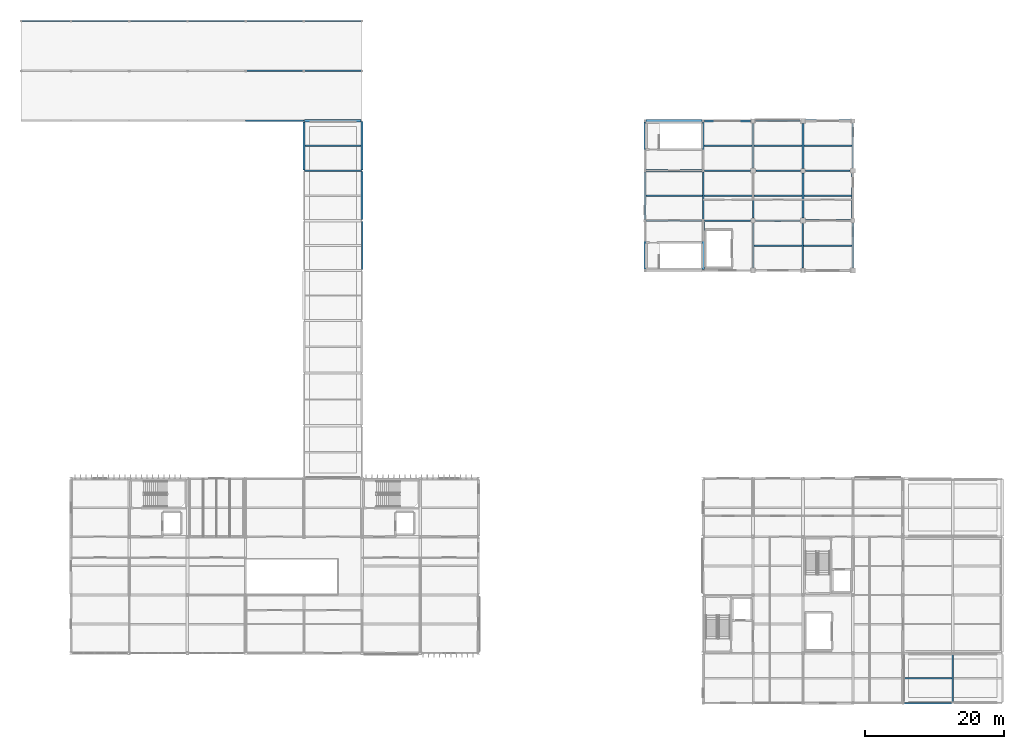
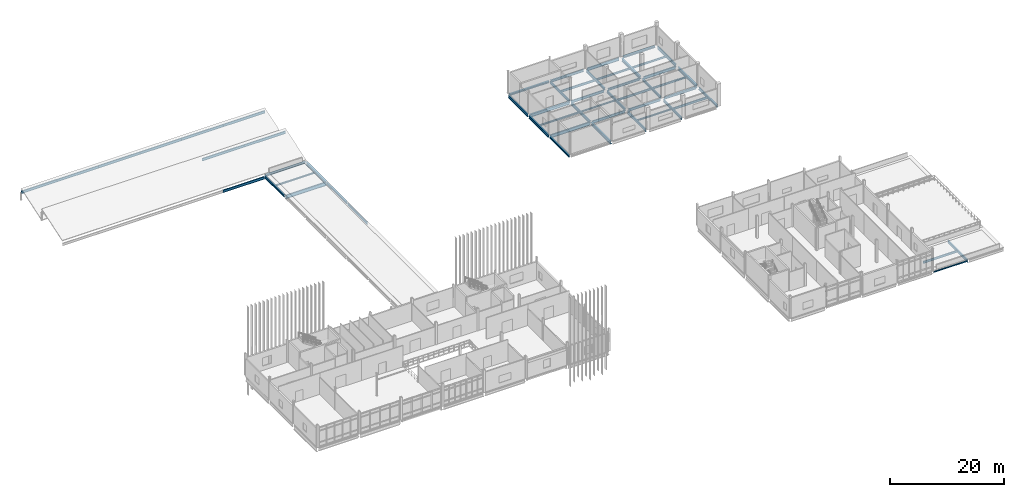
# One storey, part 27 of 72: 55 beams.
"""IFC4 building model written with IfcOpenShell, lengths in metres."""

from ifc_helpers import new_model, si_unit, direction, frame, origin, origin_2d, place, context, subcontext, project, spatial, hollow_rectangle, i_section, extrude, material, material_profile, profile_set, type_object, element, save


model = new_model("IFC4")

# Units and contexts
model_context = context("Model", 3, precision=1e-05, world=origin(), true_north=direction((0.0, 1.0)))
body_context = subcontext(model_context, "Body", "Model", "MODEL_VIEW")
ifc_project = project(units=[si_unit("LENGTHUNIT", "METRE"), si_unit("AREAUNIT", "SQUARE_METRE"), si_unit("VOLUMEUNIT", "CUBIC_METRE"), si_unit("PLANEANGLEUNIT", "RADIAN"), si_unit("MASSUNIT", "GRAM", prefix="KILO")], contexts=[model_context])

# Site, building, storey
site_placement = place(None, origin())
site = spatial("IfcSite", under=ifc_project, at=site_placement, CompositionType="ELEMENT")
building_placement = place(site_placement, origin())
building = spatial("IfcBuilding", under=site, at=building_placement, Name="Calvrana Isthmian Art Gallery", CompositionType="ELEMENT")
storey_placement = place(building_placement, frame((0.0, 0.0, 15.0)))
storey = spatial("IfcBuildingStorey", under=building, at=storey_placement, Name="L03", CompositionType="ELEMENT", Elevation=15.0)

# Beams
ifc_material_1 = material(Name="Steel ASTM A992 Gr 50", Category="steel")
ifc_material_profile_1 = material_profile(ifc_material_1, i_section(OverallWidth=0.279052734375, OverallDepth=0.4619140625, WebThickness=0.0107421875, FlangeThickness=0.017333984375, FilletRadius=0.02001953125, at=origin_2d()), Name="W18X76")
ifc_profile_set_1 = profile_set([ifc_material_profile_1], Name="Steel ASTM A992 Gr 50")
beam_type_1 = type_object("IfcBeamType", Name="BM-G-W18X76", PredefinedType="BEAM", material=ifc_profile_set_1)
beam_1_placement = place(storey_placement, frame((127.60009765625, 84.0, -0.47607421875), z_axis=(1.0, 0.0, 0.0), x_axis=(0.0, 1.0, 0.0)))
element("IfcBeam", 1, at=beam_1_placement, inside=storey, type_object=beam_type_1, Name="Girder X L03 17-18/L", PredefinedType="BEAM", context=body_context, shape_type="SweptSolid", body=[
    extrude(i_section(OverallWidth=0.279052734375, OverallDepth=0.4619140625, WebThickness=0.0107421875, FlangeThickness=0.017333984375, FilletRadius=0.02001953125, at=origin_2d()), origin(), (0.0, 0.0, 1.0), 6.449951171875),
])
beam_2_placement = place(storey_placement, frame((120.39990234375, 91.199951171875, -0.47607421875), z_axis=(1.0, 0.0, 0.0), x_axis=(0.0, 1.0, 0.0)))
element("IfcBeam", 2, at=beam_2_placement, inside=storey, type_object=beam_type_1, Name="Girder X L03 16-17/M", PredefinedType="BEAM", context=body_context, shape_type="SweptSolid", body=[
    extrude(i_section(OverallWidth=0.279052734375, OverallDepth=0.4619140625, WebThickness=0.0107421875, FlangeThickness=0.017333984375, FilletRadius=0.02001953125, at=origin_2d()), origin(), (0.0, 0.0, 1.0), 6.4501953125),
])
beam_3_placement = place(storey_placement, frame((112.986572265625, 98.39990234375, -0.47607421875), z_axis=(1.0, 0.0, 0.0), x_axis=(0.0, 1.0, 0.0)))
element("IfcBeam", 3, at=beam_3_placement, inside=storey, type_object=beam_type_1, Name="Girder X L03 15-16/N", PredefinedType="BEAM", context=body_context, shape_type="SweptSolid", body=[
    extrude(i_section(OverallWidth=0.279052734375, OverallDepth=0.4619140625, WebThickness=0.0107421875, FlangeThickness=0.017333984375, FilletRadius=0.02001953125, at=origin_2d()), origin(), (0.0, 0.0, 1.0), 6.663330078125),
])
beam_4_placement = place(storey_placement, frame((55.199951171875, 91.326904296875, -0.47607421875), z_axis=(0.0, 1.0, 0.0), x_axis=(-1.0, 0.0, 0.0)))
element("IfcBeam", 4, at=beam_4_placement, inside=storey, type_object=beam_type_1, Name="Girder Y L03 08/M-N", PredefinedType="BEAM", context=body_context, shape_type="SweptSolid", body=[
    extrude(i_section(OverallWidth=0.279052734375, OverallDepth=0.4619140625, WebThickness=0.0107421875, FlangeThickness=0.017333984375, FilletRadius=0.02001953125, at=origin_2d()), origin(), (0.0, 0.0, 1.0), 6.920654296875),
])
beam_5_placement = place(storey_placement, frame((63.60009765625, 84.15234375, -0.47607421875), z_axis=(0.0, 1.0, 0.0), x_axis=(-1.0, 0.0, 0.0)))
element("IfcBeam", 5, at=beam_5_placement, inside=storey, type_object=beam_type_1, Name="Girder Y L03 09/L-M", PredefinedType="BEAM", context=body_context, shape_type="SweptSolid", body=[
    extrude(i_section(OverallWidth=0.279052734375, OverallDepth=0.4619140625, WebThickness=0.0107421875, FlangeThickness=0.017333984375, FilletRadius=0.02001953125, at=origin_2d()), origin(), (0.0, 0.0, 1.0), 6.946044921875),
])
beam_6_placement = place(storey_placement, frame((104.39990234375, 76.97802734375, -0.47607421875), z_axis=(0.0, 1.0, 0.0), x_axis=(-1.0, 0.0, 0.0)))
element("IfcBeam", 6, at=beam_6_placement, inside=storey, type_object=beam_type_1, Name="Girder Y L03 14/K-L", PredefinedType="BEAM", context=body_context, shape_type="SweptSolid", body=[
    extrude(i_section(OverallWidth=0.279052734375, OverallDepth=0.4619140625, WebThickness=0.0107421875, FlangeThickness=0.017333984375, FilletRadius=0.02001953125, at=origin_2d()), origin(), (0.0, 0.0, 1.0), 6.840576171875),
])
beam_7_placement = place(storey_placement, frame((120.0, 91.60009765625, -0.47607421875), z_axis=(0.0, 1.0, 0.0), x_axis=(-1.0, 0.0, 0.0)))
element("IfcBeam", 7, at=beam_7_placement, inside=storey, type_object=beam_type_1, Name="Girder Y L03 16/M-N", PredefinedType="BEAM", context=body_context, shape_type="SweptSolid", body=[
    extrude(i_section(OverallWidth=0.279052734375, OverallDepth=0.4619140625, WebThickness=0.0107421875, FlangeThickness=0.017333984375, FilletRadius=0.02001953125, at=origin_2d()), origin(), (0.0, 0.0, 1.0), 6.449951171875),
])
beam_8_placement = place(storey_placement, frame((127.199951171875, 84.39990234375, -0.47607421875), z_axis=(0.0, 1.0, 0.0), x_axis=(-1.0, 0.0, 0.0)))
element("IfcBeam", 8, at=beam_8_placement, inside=storey, type_object=beam_type_1, Name="Girder Y L03 17/L-M", PredefinedType="BEAM", context=body_context, shape_type="SweptSolid", body=[
    extrude(i_section(OverallWidth=0.279052734375, OverallDepth=0.4619140625, WebThickness=0.0107421875, FlangeThickness=0.017333984375, FilletRadius=0.02001953125, at=origin_2d()), origin(), (0.0, 0.0, 1.0), 6.4501953125),
])
beam_9_placement = place(storey_placement, frame((134.39990234375, 77.199951171875, -0.47607421875), z_axis=(0.0, 1.0, 0.0), x_axis=(-1.0, 0.0, 0.0)))
element("IfcBeam", 9, at=beam_9_placement, inside=storey, type_object=beam_type_1, Name="Girder Y L03 18/K-L", PredefinedType="BEAM", context=body_context, shape_type="SweptSolid", body=[
    extrude(i_section(OverallWidth=0.279052734375, OverallDepth=0.4619140625, WebThickness=0.0107421875, FlangeThickness=0.017333984375, FilletRadius=0.02001953125, at=origin_2d()), origin(), (0.0, 0.0, 1.0), 6.449951171875),
])
ifc_material_profile_2 = material_profile(ifc_material_1, i_section(OverallWidth=0.208984375, OverallDepth=0.532958984375, WebThickness=0.01025390625, FlangeThickness=0.015625, FilletRadius=0.02099609375, at=origin_2d()), Name="W21X62")
ifc_profile_set_2 = profile_set([ifc_material_profile_2], Name="Steel ASTM A992 Gr 50")
beam_type_2 = type_object("IfcBeamType", Name="BM-G-W21X62", PredefinedType="BEAM", material=ifc_profile_set_2)
beam_10_placement = place(storey_placement, frame((120.35009765625, 84.0, -0.511474609375), z_axis=(1.0, 0.0, 0.0), x_axis=(0.0, 1.0, 0.0)))
element("IfcBeam", 10, at=beam_10_placement, inside=storey, type_object=beam_type_2, Name="Girder X L03 16-17/L", PredefinedType="BEAM", context=body_context, shape_type="SweptSolid", body=[
    extrude(i_section(OverallWidth=0.208984375, OverallDepth=0.532958984375, WebThickness=0.01025390625, FlangeThickness=0.015625, FilletRadius=0.02099609375, at=origin_2d()), origin(), (0.0, 0.0, 1.0), 6.449951171875),
])
beam_11_placement = place(storey_placement, frame((112.985595703125, 91.199951171875, -0.511474609375), z_axis=(1.0, 0.0, 0.0), x_axis=(0.0, 1.0, 0.0)))
element("IfcBeam", 11, at=beam_11_placement, inside=storey, type_object=beam_type_2, Name="Girder X L03 15-16/M", PredefinedType="BEAM", context=body_context, shape_type="SweptSolid", body=[
    extrude(i_section(OverallWidth=0.208984375, OverallDepth=0.532958984375, WebThickness=0.01025390625, FlangeThickness=0.015625, FilletRadius=0.02099609375, at=origin_2d()), origin(), (0.0, 0.0, 1.0), 6.614501953125),
])
beam_12_placement = place(storey_placement, frame((63.60009765625, 76.952392578125, -0.511474609375), z_axis=(0.0, 1.0, 0.0), x_axis=(-1.0, 0.0, 0.0)))
element("IfcBeam", 12, at=beam_12_placement, inside=storey, type_object=beam_type_2, Name="Girder Y L03 09/K-L", PredefinedType="BEAM", context=body_context, shape_type="SweptSolid", body=[
    extrude(i_section(OverallWidth=0.208984375, OverallDepth=0.532958984375, WebThickness=0.01025390625, FlangeThickness=0.015625, FilletRadius=0.02099609375, at=origin_2d()), origin(), (0.0, 0.0, 1.0), 6.895263671875),
])
beam_13_placement = place(storey_placement, frame((112.800048828125, 91.381591796875, -0.511474609375), z_axis=(0.0, 1.0, 0.0), x_axis=(-1.0, 0.0, 0.0)))
element("IfcBeam", 13, at=beam_13_placement, inside=storey, type_object=beam_type_2, Name="Girder Y L03 15/M-N", PredefinedType="BEAM", context=body_context, shape_type="SweptSolid", body=[
    extrude(i_section(OverallWidth=0.208984375, OverallDepth=0.532958984375, WebThickness=0.01025390625, FlangeThickness=0.015625, FilletRadius=0.02099609375, at=origin_2d()), origin(), (0.0, 0.0, 1.0), 6.83447265625),
])
beam_14_placement = place(storey_placement, frame((120.0, 84.35009765625, -0.511474609375), z_axis=(0.0, 1.0, 0.0), x_axis=(-1.0, 0.0, 0.0)))
element("IfcBeam", 14, at=beam_14_placement, inside=storey, type_object=beam_type_2, Name="Girder Y L03 16/L-M", PredefinedType="BEAM", context=body_context, shape_type="SweptSolid", body=[
    extrude(i_section(OverallWidth=0.208984375, OverallDepth=0.532958984375, WebThickness=0.01025390625, FlangeThickness=0.015625, FilletRadius=0.02099609375, at=origin_2d()), origin(), (0.0, 0.0, 1.0), 6.449951171875),
])
beam_15_placement = place(storey_placement, frame((127.199951171875, 77.14990234375, -0.511474609375), z_axis=(0.0, 1.0, 0.0), x_axis=(-1.0, 0.0, 0.0)))
element("IfcBeam", 15, at=beam_15_placement, inside=storey, type_object=beam_type_2, Name="Girder Y L03 17/K-L", PredefinedType="BEAM", context=body_context, shape_type="SweptSolid", body=[
    extrude(i_section(OverallWidth=0.208984375, OverallDepth=0.532958984375, WebThickness=0.01025390625, FlangeThickness=0.015625, FilletRadius=0.02099609375, at=origin_2d()), origin(), (0.0, 0.0, 1.0), 6.4501953125),
])
for number, where, z_axis, x_axis, name in (
    (16, (46.800048828125, 98.39990234375, -0.820068359375), (1.0, 0.0, 0.0), (0.0, 1.0, 0.0), "Sloped roof rafter SROOF_V6_SAW1-18"),
    (17, (46.800048828125, 105.60009765625, 1.580078125), (1.0, 0.0, 0.0), (0.0, 1.0, 0.0), "Sloped roof rafter SROOF_V6_SAW1-23"),
):
    element("IfcBeam", number, at=place(storey_placement, frame(where, z_axis=z_axis, x_axis=x_axis)), inside=storey, type_object=beam_type_2, Name=name, PredefinedType="BEAM", context=body_context, shape_type="SweptSolid", body=[
        extrude(i_section(OverallWidth=0.208984375, OverallDepth=0.532958984375, WebThickness=0.01025390625, FlangeThickness=0.015625, FilletRadius=0.02099609375, at=origin_2d()), origin(), (0.0, 0.0, 1.0), 8.39990234375),
    ])
beam_16_placement = place(storey_placement, frame((55.199951171875, 105.60009765625, 1.580078125), z_axis=(1.0, 0.0, 0.0), x_axis=(0.0, 1.0, 0.0)))
element("IfcBeam", 18, at=beam_16_placement, inside=storey, type_object=beam_type_2, Name="Sloped roof rafter SROOF_V6_SAW1-24", PredefinedType="BEAM", context=body_context, shape_type="SweptSolid", body=[
    extrude(i_section(OverallWidth=0.208984375, OverallDepth=0.532958984375, WebThickness=0.01025390625, FlangeThickness=0.015625, FilletRadius=0.02099609375, at=origin_2d()), origin(), (0.0, 0.0, 1.0), 8.400146484375),
])
beam_17_placement = place(storey_placement, frame((14.39990234375, 112.800048828125, 1.580078125), z_axis=(1.0, 0.0, 0.0), x_axis=(0.0, 1.0, 0.0)))
element("IfcBeam", 19, at=beam_17_placement, inside=storey, type_object=beam_type_2, Name="Sloped roof rafter SROOF_V6_SAW2-25", PredefinedType="BEAM", context=body_context, shape_type="SweptSolid", body=[
    extrude(i_section(OverallWidth=0.208984375, OverallDepth=0.532958984375, WebThickness=0.01025390625, FlangeThickness=0.015625, FilletRadius=0.02099609375, at=origin_2d()), origin(), (0.0, 0.0, 1.0), 7.2001953125),
])
for number, where, z_axis, x_axis, name in (
    (20, (21.60009765625, 112.800048828125, 1.580078125), (1.0, 0.0, 0.0), (0.0, 1.0, 0.0), "Sloped roof rafter SROOF_V6_SAW2-26"),
    (21, (30.0, 112.800048828125, 1.580078125), (1.0, 0.0, 0.0), (0.0, 1.0, 0.0), "Sloped roof rafter SROOF_V6_SAW2-27"),
):
    element("IfcBeam", number, at=place(storey_placement, frame(where, z_axis=z_axis, x_axis=x_axis)), inside=storey, type_object=beam_type_2, Name=name, PredefinedType="BEAM", context=body_context, shape_type="SweptSolid", body=[
        extrude(i_section(OverallWidth=0.208984375, OverallDepth=0.532958984375, WebThickness=0.01025390625, FlangeThickness=0.015625, FilletRadius=0.02099609375, at=origin_2d()), origin(), (0.0, 0.0, 1.0), 8.39990234375),
    ])
beam_18_placement = place(storey_placement, frame((38.39990234375, 112.800048828125, 1.580078125), z_axis=(1.0, 0.0, 0.0), x_axis=(0.0, 1.0, 0.0)))
element("IfcBeam", 22, at=beam_18_placement, inside=storey, type_object=beam_type_2, Name="Sloped roof rafter SROOF_V6_SAW2-28", PredefinedType="BEAM", context=body_context, shape_type="SweptSolid", body=[
    extrude(i_section(OverallWidth=0.208984375, OverallDepth=0.532958984375, WebThickness=0.01025390625, FlangeThickness=0.015625, FilletRadius=0.02099609375, at=origin_2d()), origin(), (0.0, 0.0, 1.0), 8.400146484375),
])
beam_19_placement = place(storey_placement, frame((46.800048828125, 112.800048828125, 1.580078125), z_axis=(1.0, 0.0, 0.0), x_axis=(0.0, 1.0, 0.0)))
element("IfcBeam", 23, at=beam_19_placement, inside=storey, type_object=beam_type_2, Name="Sloped roof rafter SROOF_V6_SAW2-29", PredefinedType="BEAM", context=body_context, shape_type="SweptSolid", body=[
    extrude(i_section(OverallWidth=0.208984375, OverallDepth=0.532958984375, WebThickness=0.01025390625, FlangeThickness=0.015625, FilletRadius=0.02099609375, at=origin_2d()), origin(), (0.0, 0.0, 1.0), 8.39990234375),
])
beam_20_placement = place(storey_placement, frame((55.199951171875, 112.800048828125, 1.580078125), z_axis=(1.0, 0.0, 0.0), x_axis=(0.0, 1.0, 0.0)))
element("IfcBeam", 24, at=beam_20_placement, inside=storey, type_object=beam_type_2, Name="Sloped roof rafter SROOF_V6_SAW2-30", PredefinedType="BEAM", context=body_context, shape_type="SweptSolid", body=[
    extrude(i_section(OverallWidth=0.208984375, OverallDepth=0.532958984375, WebThickness=0.01025390625, FlangeThickness=0.015625, FilletRadius=0.02099609375, at=origin_2d()), origin(), (0.0, 0.0, 1.0), 8.400146484375),
])
ifc_material_profile_3 = material_profile(ifc_material_1, i_section(OverallWidth=0.214111328125, OverallDepth=0.549072265625, WebThickness=0.0146484375, FlangeThickness=0.023681640625, FilletRadius=0.02099609375, at=origin_2d()), Name="W21X93")
ifc_profile_set_3 = profile_set([ifc_material_profile_3], Name="Steel ASTM A992 Gr 50")
beam_type_3 = type_object("IfcBeamType", Name="BM-G-W21X93", PredefinedType="BEAM", material=ifc_profile_set_3)
beam_21_placement = place(storey_placement, frame((112.98388671875, 84.0, -0.51953125), z_axis=(1.0, 0.0, 0.0), x_axis=(0.0, 1.0, 0.0)))
element("IfcBeam", 25, at=beam_21_placement, inside=storey, type_object=beam_type_3, Name="Girder X L03 15-16/L", PredefinedType="BEAM", context=body_context, shape_type="SweptSolid", body=[
    extrude(i_section(OverallWidth=0.214111328125, OverallDepth=0.549072265625, WebThickness=0.0146484375, FlangeThickness=0.023681640625, FilletRadius=0.02099609375, at=origin_2d()), origin(), (0.0, 0.0, 1.0), 6.666015625),
])
ifc_material_profile_4 = material_profile(ifc_material_1, i_section(OverallWidth=0.324951171875, OverallDepth=0.612060546875, WebThickness=0.0126953125, FlangeThickness=0.01904296875, FilletRadius=0.02197265625, at=origin_2d()), Name="W24X104")
ifc_profile_set_4 = profile_set([ifc_material_profile_4], Name="Steel ASTM A992 Gr 50")
beam_type_4 = type_object("IfcBeamType", Name="BM-G-W24X104", PredefinedType="BEAM", material=ifc_profile_set_4)
beam_22_placement = place(storey_placement, frame((63.60009765625, 91.301513671875, -0.551025390625), z_axis=(0.0, 1.0, 0.0), x_axis=(-1.0, 0.0, 0.0)))
element("IfcBeam", 26, at=beam_22_placement, inside=storey, type_object=beam_type_4, Name="Girder Y L03 09/M-N", PredefinedType="BEAM", context=body_context, shape_type="SweptSolid", body=[
    extrude(i_section(OverallWidth=0.324951171875, OverallDepth=0.612060546875, WebThickness=0.0126953125, FlangeThickness=0.01904296875, FilletRadius=0.02197265625, at=origin_2d()), origin(), (0.0, 0.0, 1.0), 6.971435546875),
])
beam_23_placement = place(storey_placement, frame((104.39990234375, 84.181396484375, -0.551025390625), z_axis=(0.0, 1.0, 0.0), x_axis=(-1.0, 0.0, 0.0)))
element("IfcBeam", 27, at=beam_23_placement, inside=storey, type_object=beam_type_4, Name="Girder Y L03 14/L-M", PredefinedType="BEAM", context=body_context, shape_type="SweptSolid", body=[
    extrude(i_section(OverallWidth=0.324951171875, OverallDepth=0.612060546875, WebThickness=0.0126953125, FlangeThickness=0.01904296875, FilletRadius=0.02197265625, at=origin_2d()), origin(), (0.0, 0.0, 1.0), 6.834716796875),
])
beam_24_placement = place(storey_placement, frame((112.800048828125, 76.986572265625, -0.551025390625), z_axis=(0.0, 1.0, 0.0), x_axis=(-1.0, 0.0, 0.0)))
element("IfcBeam", 28, at=beam_24_placement, inside=storey, type_object=beam_type_4, Name="Girder Y L03 15/K-L", PredefinedType="BEAM", context=body_context, shape_type="SweptSolid", body=[
    extrude(i_section(OverallWidth=0.324951171875, OverallDepth=0.612060546875, WebThickness=0.0126953125, FlangeThickness=0.01904296875, FilletRadius=0.02197265625, at=origin_2d()), origin(), (0.0, 0.0, 1.0), 6.83544921875),
])
for number, where, z_axis, x_axis, name in (
    (29, (127.199951171875, 91.550048828125, -0.551025390625), (0.0, 1.0, 0.0), (-1.0, 0.0, 0.0), "Girder Y L03 17/M-N"),
    (30, (134.39990234375, 84.35009765625, -0.551025390625), (0.0, 1.0, 0.0), (-1.0, 0.0, 0.0), "Girder Y L03 18/L-M"),
):
    element("IfcBeam", number, at=place(storey_placement, frame(where, z_axis=z_axis, x_axis=x_axis)), inside=storey, type_object=beam_type_4, Name=name, PredefinedType="BEAM", context=body_context, shape_type="SweptSolid", body=[
        extrude(i_section(OverallWidth=0.324951171875, OverallDepth=0.612060546875, WebThickness=0.0126953125, FlangeThickness=0.01904296875, FilletRadius=0.02197265625, at=origin_2d()), origin(), (0.0, 0.0, 1.0), 6.449951171875),
    ])
ifc_material_profile_5 = material_profile(ifc_material_1, i_section(OverallWidth=0.327880859375, OverallDepth=0.6220703125, WebThickness=0.015380859375, FlangeThickness=0.0244140625, FilletRadius=0.02197265625, at=origin_2d()), Name="W24X131")
ifc_profile_set_5 = profile_set([ifc_material_profile_5], Name="Steel ASTM A992 Gr 50")
beam_type_5 = type_object("IfcBeamType", Name="BM-G-W24X131", PredefinedType="BEAM", material=ifc_profile_set_5)
beam_25_placement = place(storey_placement, frame((104.58642578125, 91.199951171875, -0.555908203125), z_axis=(1.0, 0.0, 0.0), x_axis=(0.0, 1.0, 0.0)))
element("IfcBeam", 31, at=beam_25_placement, inside=storey, type_object=beam_type_5, Name="Girder X L03 14-15/M", PredefinedType="BEAM", context=body_context, shape_type="SweptSolid", body=[
    extrude(i_section(OverallWidth=0.327880859375, OverallDepth=0.6220703125, WebThickness=0.015380859375, FlangeThickness=0.0244140625, FilletRadius=0.02197265625, at=origin_2d()), origin(), (0.0, 0.0, 1.0), 8.028076171875),
])
ifc_material_profile_6 = material_profile(ifc_material_1, i_section(OverallWidth=0.22802734375, OverallDepth=0.60693359375, WebThickness=0.01123046875, FlangeThickness=0.017333984375, FilletRadius=0.02197265625, at=origin_2d()), Name="W24X76")
ifc_profile_set_6 = profile_set([ifc_material_profile_6], Name="Steel ASTM A992 Gr 50")
beam_type_6 = type_object("IfcBeamType", Name="BM-G-W24X76", PredefinedType="BEAM", material=ifc_profile_set_6)
for number, where, z_axis, x_axis, name in (
    (32, (127.550048828125, 91.199951171875, -0.548583984375), (1.0, 0.0, 0.0), (0.0, 1.0, 0.0), "Girder X L03 17-18/M"),
    (33, (120.35009765625, 98.39990234375, -0.548583984375), (1.0, 0.0, 0.0), (0.0, 1.0, 0.0), "Girder X L03 16-17/N"),
):
    element("IfcBeam", number, at=place(storey_placement, frame(where, z_axis=z_axis, x_axis=x_axis)), inside=storey, type_object=beam_type_6, Name=name, PredefinedType="BEAM", context=body_context, shape_type="SweptSolid", body=[
        extrude(i_section(OverallWidth=0.22802734375, OverallDepth=0.60693359375, WebThickness=0.01123046875, FlangeThickness=0.017333984375, FilletRadius=0.02197265625, at=origin_2d()), origin(), (0.0, 0.0, 1.0), 6.449951171875),
    ])
beam_26_placement = place(storey_placement, frame((104.39990234375, 91.384033203125, -0.548583984375), z_axis=(0.0, 1.0, 0.0), x_axis=(-1.0, 0.0, 0.0)))
element("IfcBeam", 34, at=beam_26_placement, inside=storey, type_object=beam_type_6, Name="Girder Y L03 14/M-N", PredefinedType="BEAM", context=body_context, shape_type="SweptSolid", body=[
    extrude(i_section(OverallWidth=0.22802734375, OverallDepth=0.60693359375, WebThickness=0.01123046875, FlangeThickness=0.017333984375, FilletRadius=0.02197265625, at=origin_2d()), origin(), (0.0, 0.0, 1.0), 6.829345703125),
])
beam_27_placement = place(storey_placement, frame((112.800048828125, 84.177978515625, -0.548583984375), z_axis=(0.0, 1.0, 0.0), x_axis=(-1.0, 0.0, 0.0)))
element("IfcBeam", 35, at=beam_27_placement, inside=storey, type_object=beam_type_6, Name="Girder Y L03 15/L-M", PredefinedType="BEAM", context=body_context, shape_type="SweptSolid", body=[
    extrude(i_section(OverallWidth=0.22802734375, OverallDepth=0.60693359375, WebThickness=0.01123046875, FlangeThickness=0.017333984375, FilletRadius=0.02197265625, at=origin_2d()), origin(), (0.0, 0.0, 1.0), 6.840576171875),
])
for number, where, z_axis, x_axis, name in (
    (36, (120.0, 77.199951171875, -0.548583984375), (0.0, 1.0, 0.0), (-1.0, 0.0, 0.0), "Girder Y L03 16/K-L"),
    (37, (134.39990234375, 91.60009765625, -0.548583984375), (0.0, 1.0, 0.0), (-1.0, 0.0, 0.0), "Girder Y L03 18/M-N"),
):
    element("IfcBeam", number, at=place(storey_placement, frame(where, z_axis=z_axis, x_axis=x_axis)), inside=storey, type_object=beam_type_6, Name=name, PredefinedType="BEAM", context=body_context, shape_type="SweptSolid", body=[
        extrude(i_section(OverallWidth=0.22802734375, OverallDepth=0.60693359375, WebThickness=0.01123046875, FlangeThickness=0.017333984375, FilletRadius=0.02197265625, at=origin_2d()), origin(), (0.0, 0.0, 1.0), 6.449951171875),
    ])
beam_28_placement = place(storey_placement, frame((148.800048828125, 14.552490234375, -0.548583984375), z_axis=(0.0, 1.0, 0.0), x_axis=(-1.0, 0.0, 0.0)))
element("IfcBeam", 38, at=beam_28_placement, inside=storey, type_object=beam_type_6, Name="Girder Y L03 20/C-D", PredefinedType="BEAM", context=body_context, shape_type="SweptSolid", body=[
    extrude(i_section(OverallWidth=0.22802734375, OverallDepth=0.60693359375, WebThickness=0.01123046875, FlangeThickness=0.017333984375, FilletRadius=0.02197265625, at=origin_2d()), origin(), (0.0, 0.0, 1.0), 6.94580078125),
])
ifc_material_profile_7 = material_profile(ifc_material_1, i_section(OverallWidth=0.257080078125, OverallDepth=0.693115234375, WebThickness=0.014404296875, FlangeThickness=0.023681640625, FilletRadius=0.02392578125, at=origin_2d()), Name="W27X114")
ifc_profile_set_7 = profile_set([ifc_material_profile_7], Name="Steel ASTM A992 Gr 50")
beam_type_7 = type_object("IfcBeamType", Name="BM-G-W27X114", PredefinedType="BEAM", material=ifc_profile_set_7)
beam_29_placement = place(storey_placement, frame((104.58544921875, 84.0, -0.591552734375), z_axis=(1.0, 0.0, 0.0), x_axis=(0.0, 1.0, 0.0)))
element("IfcBeam", 39, at=beam_29_placement, inside=storey, type_object=beam_type_7, Name="Girder X L03 14-15/L", PredefinedType="BEAM", context=body_context, shape_type="SweptSolid", body=[
    extrude(i_section(OverallWidth=0.257080078125, OverallDepth=0.693115234375, WebThickness=0.014404296875, FlangeThickness=0.023681640625, FilletRadius=0.02392578125, at=origin_2d()), origin(), (0.0, 0.0, 1.0), 8.030517578125),
])
ifc_material_profile_8 = material_profile(ifc_material_1, i_section(OverallWidth=0.26708984375, OverallDepth=0.761962890625, WebThickness=0.014404296875, FlangeThickness=0.021484375, FilletRadius=0.02490234375, at=origin_2d()), Name="W30X116")
ifc_profile_set_8 = profile_set([ifc_material_profile_8], Name="Steel ASTM A992 Gr 50")
beam_type_8 = type_object("IfcBeamType", Name="BM-G-W30X116", PredefinedType="BEAM", material=ifc_profile_set_8)
beam_30_placement = place(storey_placement, frame((55.326904296875, 91.199951171875, -0.6259765625), z_axis=(1.0, 0.0, 0.0), x_axis=(0.0, 1.0, 0.0)))
element("IfcBeam", 40, at=beam_30_placement, inside=storey, type_object=beam_type_8, Name="Girder X L03 08-09/M", PredefinedType="BEAM", context=body_context, shape_type="SweptSolid", body=[
    extrude(i_section(OverallWidth=0.26708984375, OverallDepth=0.761962890625, WebThickness=0.014404296875, FlangeThickness=0.021484375, FilletRadius=0.02490234375, at=origin_2d()), origin(), (0.0, 0.0, 1.0), 8.17138671875),
])
ifc_material_profile_9 = material_profile(ifc_material_1, i_section(OverallWidth=0.202880859375, OverallDepth=0.302001953125, WebThickness=0.007568359375, FlangeThickness=0.01318359375, FilletRadius=0.01611328125, at=origin_2d()), Name="W12X40")
ifc_profile_set_9 = profile_set([ifc_material_profile_9], Name="Steel ASTM A992 Gr 50")
beam_type_9 = type_object("IfcBeamType", Name="BM-J-W12X40", PredefinedType="JOIST", material=ifc_profile_set_9)
beam_31_placement = place(storey_placement, frame((55.339599609375, 94.800048828125, -0.39599609375), z_axis=(1.0, 0.0, 0.0), x_axis=(0.0, 1.0, 0.0)))
element("IfcBeam", 41, at=beam_31_placement, inside=storey, type_object=beam_type_9, Name="Composite joist L03 bay 07-12", PredefinedType="JOIST", context=body_context, shape_type="SweptSolid", body=[
    extrude(i_section(OverallWidth=0.202880859375, OverallDepth=0.302001953125, WebThickness=0.007568359375, FlangeThickness=0.01318359375, FilletRadius=0.01611328125, at=origin_2d()), origin(), (0.0, 0.0, 1.0), 8.097900390625),
])
for number, where, z_axis, x_axis, name in (
    (42, (112.9140625, 87.60009765625, -0.39599609375), (1.0, 0.0, 0.0), (0.0, 1.0, 0.0), "Composite joist L03 bay 14-11"),
    (43, (120.114013671875, 80.39990234375, -0.39599609375), (1.0, 0.0, 0.0), (0.0, 1.0, 0.0), "Composite joist L03 bay 15-10"),
):
    element("IfcBeam", number, at=place(storey_placement, frame(where, z_axis=z_axis, x_axis=x_axis)), inside=storey, type_object=beam_type_9, Name=name, PredefinedType="JOIST", context=body_context, shape_type="SweptSolid", body=[
        extrude(i_section(OverallWidth=0.202880859375, OverallDepth=0.302001953125, WebThickness=0.007568359375, FlangeThickness=0.01318359375, FilletRadius=0.01611328125, at=origin_2d()), origin(), (0.0, 0.0, 1.0), 6.9814453125),
    ])
ifc_material_profile_10 = material_profile(ifc_material_1, i_section(OverallWidth=0.25390625, OverallDepth=0.306884765625, WebThickness=0.0087890625, FlangeThickness=0.0146484375, FilletRadius=0.01611328125, at=origin_2d()), Name="W12X53")
ifc_profile_set_10 = profile_set([ifc_material_profile_10], Name="Steel ASTM A992 Gr 50")
beam_type_10 = type_object("IfcBeamType", Name="BM-J-W12X53", PredefinedType="JOIST", material=ifc_profile_set_10)
beam_32_placement = place(storey_placement, frame((104.5625, 87.60009765625, -0.3984375), z_axis=(1.0, 0.0, 0.0), x_axis=(0.0, 1.0, 0.0)))
element("IfcBeam", 44, at=beam_32_placement, inside=storey, type_object=beam_type_10, Name="Composite joist L03 bay 13-11", PredefinedType="JOIST", context=body_context, shape_type="SweptSolid", body=[
    extrude(i_section(OverallWidth=0.25390625, OverallDepth=0.306884765625, WebThickness=0.0087890625, FlangeThickness=0.0146484375, FilletRadius=0.01611328125, at=origin_2d()), origin(), (0.0, 0.0, 1.0), 8.12353515625),
])
ifc_material_profile_11 = material_profile(ifc_material_1, i_section(OverallWidth=0.177978515625, OverallDepth=0.404052734375, WebThickness=0.007568359375, FlangeThickness=0.010986328125, FilletRadius=0.01806640625, at=origin_2d()), Name="W16X36")
ifc_profile_set_11 = profile_set([ifc_material_profile_11], Name="Steel ASTM A992 Gr 50")
beam_type_11 = type_object("IfcBeamType", Name="BM-J-W16X36", PredefinedType="JOIST", material=ifc_profile_set_11)
beam_33_placement = place(storey_placement, frame((127.362548828125, 94.800048828125, -0.447021484375), z_axis=(1.0, 0.0, 0.0), x_axis=(0.0, 1.0, 0.0)))
element("IfcBeam", 45, at=beam_33_placement, inside=storey, type_object=beam_type_11, Name="Composite joist L03 bay 16-12", PredefinedType="JOIST", context=body_context, shape_type="SweptSolid", body=[
    extrude(i_section(OverallWidth=0.177978515625, OverallDepth=0.404052734375, WebThickness=0.007568359375, FlangeThickness=0.010986328125, FilletRadius=0.01806640625, at=origin_2d()), origin(), (0.0, 0.0, 1.0), 6.92333984375),
])
ifc_material_profile_12 = material_profile(ifc_material_1, i_section(OverallWidth=0.179931640625, OverallDepth=0.4140625, WebThickness=0.009765625, FlangeThickness=0.01611328125, FilletRadius=0.01806640625, at=origin_2d()), Name="W16X50")
ifc_profile_set_12 = profile_set([ifc_material_profile_12], Name="Steel ASTM A992 Gr 50")
beam_type_12 = type_object("IfcBeamType", Name="BM-J-W16X50", PredefinedType="JOIST", material=ifc_profile_set_12)
beam_34_placement = place(storey_placement, frame((120.139404296875, 94.800048828125, -0.451904296875), z_axis=(1.0, 0.0, 0.0), x_axis=(0.0, 1.0, 0.0)))
element("IfcBeam", 46, at=beam_34_placement, inside=storey, type_object=beam_type_12, Name="Composite joist L03 bay 15-12", PredefinedType="JOIST", context=body_context, shape_type="SweptSolid", body=[
    extrude(i_section(OverallWidth=0.179931640625, OverallDepth=0.4140625, WebThickness=0.009765625, FlangeThickness=0.01611328125, FilletRadius=0.01806640625, at=origin_2d()), origin(), (0.0, 0.0, 1.0), 6.898193359375),
])
beam_35_placement = place(storey_placement, frame((127.339599609375, 87.60009765625, -0.451904296875), z_axis=(1.0, 0.0, 0.0), x_axis=(0.0, 1.0, 0.0)))
element("IfcBeam", 47, at=beam_35_placement, inside=storey, type_object=beam_type_12, Name="Composite joist L03 bay 16-11", PredefinedType="JOIST", context=body_context, shape_type="SweptSolid", body=[
    extrude(i_section(OverallWidth=0.179931640625, OverallDepth=0.4140625, WebThickness=0.009765625, FlangeThickness=0.01611328125, FilletRadius=0.01806640625, at=origin_2d()), origin(), (0.0, 0.0, 1.0), 6.89794921875),
])
ifc_material_profile_13 = material_profile(ifc_material_1, i_section(OverallWidth=0.19091796875, OverallDepth=0.45703125, WebThickness=0.009033203125, FlangeThickness=0.014404296875, FilletRadius=0.02001953125, at=origin_2d()), Name="W18X50")
ifc_profile_set_13 = profile_set([ifc_material_profile_13], Name="Steel ASTM A992 Gr 50")
beam_type_13 = type_object("IfcBeamType", Name="BM-J-W18X50", PredefinedType="JOIST", material=ifc_profile_set_13)
for number, where, z_axis, x_axis, name in (
    (48, (112.904541015625, 94.800048828125, -0.473388671875), (1.0, 0.0, 0.0), (0.0, 1.0, 0.0), "Composite joist L03 bay 14-12"),
    (49, (120.1044921875, 87.60009765625, -0.473388671875), (1.0, 0.0, 0.0), (0.0, 1.0, 0.0), "Composite joist L03 bay 15-11"),
    (50, (127.304443359375, 80.39990234375, -0.473388671875), (1.0, 0.0, 0.0), (0.0, 1.0, 0.0), "Composite joist L03 bay 16-10"),
):
    element("IfcBeam", number, at=place(storey_placement, frame(where, z_axis=z_axis, x_axis=x_axis)), inside=storey, type_object=beam_type_13, Name=name, PredefinedType="JOIST", context=body_context, shape_type="SweptSolid", body=[
        extrude(i_section(OverallWidth=0.19091796875, OverallDepth=0.45703125, WebThickness=0.009033203125, FlangeThickness=0.014404296875, FilletRadius=0.02001953125, at=origin_2d()), origin(), (0.0, 0.0, 1.0), 6.9560546875),
    ])
beam_36_placement = place(storey_placement, frame((141.762451171875, 18.0, -0.473388671875), z_axis=(1.0, 0.0, 0.0), x_axis=(0.0, 1.0, 0.0)))
element("IfcBeam", 51, at=beam_36_placement, inside=storey, type_object=beam_type_13, Name="Composite joist L03 bay 18-02", PredefinedType="JOIST", context=body_context, shape_type="SweptSolid", body=[
    extrude(i_section(OverallWidth=0.19091796875, OverallDepth=0.45703125, WebThickness=0.009033203125, FlangeThickness=0.014404296875, FilletRadius=0.02001953125, at=origin_2d()), origin(), (0.0, 0.0, 1.0), 6.923583984375),
])
ifc_material_2 = material(Name="Steel ASTM A500 Gr C", Category="steel")
ifc_material_profile_14 = material_profile(ifc_material_2, hollow_rectangle(XDim=0.15234375, YDim=0.25390625, WallThickness=0.009521484375, OuterFilletRadius=0.01904296875, at=origin_2d()), Name="HSS254X152X9.5")
ifc_profile_set_14 = profile_set([ifc_material_profile_14], Name="Steel ASTM A500 Gr C")
beam_type_14 = type_object("IfcBeamType", Name="BM-SP-HSS254", PredefinedType="SPANDREL", material=ifc_profile_set_14)
beam_37_placement = place(storey_placement, frame((141.78662109375, 14.39990234375, -0.3720703125), z_axis=(1.0, 0.0, 0.0), x_axis=(0.0, 1.0, 0.0)))
element("IfcBeam", 52, at=beam_37_placement, inside=storey, type_object=beam_type_14, Name="Girder X L03 19-20/C", PredefinedType="SPANDREL", context=body_context, shape_type="SweptSolid", body=[
    extrude(hollow_rectangle(XDim=0.15234375, YDim=0.25390625, WallThickness=0.009521484375, OuterFilletRadius=0.01904296875, at=origin_2d()), origin(), (0.0, 0.0, 1.0), 6.861083984375),
])
ifc_material_profile_15 = material_profile(ifc_material_1, i_section(OverallWidth=0.367919921875, OverallDepth=0.35595703125, WebThickness=0.01123046875, FlangeThickness=0.01806640625, FilletRadius=0.02490234375, at=origin_2d()), Name="W14X90")
ifc_profile_set_15 = profile_set([ifc_material_profile_15], Name="Steel ASTM A992 Gr 50")
beam_type_15 = type_object("IfcBeamType", Name="BM-SP-W14X90", PredefinedType="SPANDREL", material=ifc_profile_set_15)
beam_38_placement = place(storey_placement, frame((55.301513671875, 98.39990234375, -0.423095703125), z_axis=(1.0, 0.0, 0.0), x_axis=(0.0, 1.0, 0.0)))
element("IfcBeam", 53, at=beam_38_placement, inside=storey, type_object=beam_type_15, Name="Girder X L03 08-09/N", PredefinedType="SPANDREL", context=body_context, shape_type="SweptSolid", body=[
    extrude(i_section(OverallWidth=0.367919921875, OverallDepth=0.35595703125, WebThickness=0.01123046875, FlangeThickness=0.01806640625, FilletRadius=0.02490234375, at=origin_2d()), origin(), (0.0, 0.0, 1.0), 8.17138671875),
])
beam_39_placement = place(storey_placement, frame((104.58642578125, 98.39990234375, -0.423095703125), z_axis=(1.0, 0.0, 0.0), x_axis=(0.0, 1.0, 0.0)))
element("IfcBeam", 54, at=beam_39_placement, inside=storey, type_object=beam_type_15, Name="Girder X L03 14-15/N", PredefinedType="SPANDREL", context=body_context, shape_type="SweptSolid", body=[
    extrude(i_section(OverallWidth=0.367919921875, OverallDepth=0.35595703125, WebThickness=0.01123046875, FlangeThickness=0.01806640625, FilletRadius=0.02490234375, at=origin_2d()), origin(), (0.0, 0.0, 1.0), 8.027099609375),
])
beam_40_placement = place(storey_placement, frame((127.60009765625, 98.39990234375, -0.423095703125), z_axis=(1.0, 0.0, 0.0), x_axis=(0.0, 1.0, 0.0)))
element("IfcBeam", 55, at=beam_40_placement, inside=storey, type_object=beam_type_15, Name="Girder X L03 17-18/N", PredefinedType="SPANDREL", context=body_context, shape_type="SweptSolid", body=[
    extrude(i_section(OverallWidth=0.367919921875, OverallDepth=0.35595703125, WebThickness=0.01123046875, FlangeThickness=0.01806640625, FilletRadius=0.02490234375, at=origin_2d()), origin(), (0.0, 0.0, 1.0), 6.449951171875),
])

save(model, "model.ifc")
